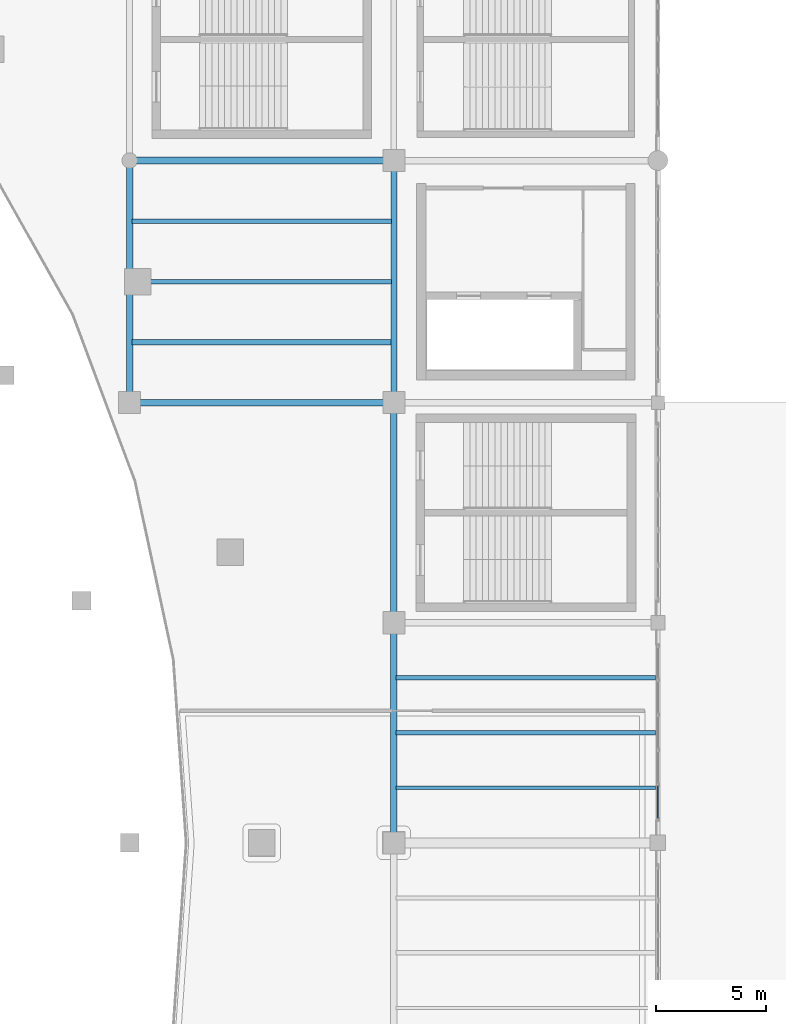
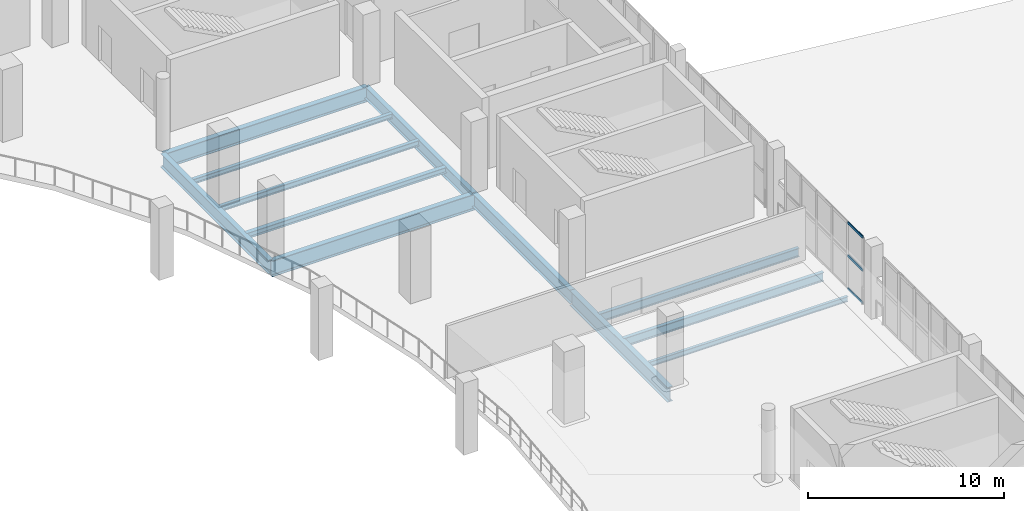
# One storey, part 56 of 108: 12 beams, 3 members, 1 element without a shape of its own.
"""IFC4 building model written with IfcOpenShell, lengths in metres."""

from ifc_helpers import new_model, si_unit, direction, frame, origin, origin_2d, place, context, subcontext, project, spatial, hollow_rectangle, i_section, extrude, material, layer, layer_set, material_profile, profile_set, type_object, element, aggregate, save


model = new_model("IFC4")

# Units and contexts
model_context = context("Model", 3, precision=1e-05, world=origin(), true_north=direction((0.0, 1.0)))
body_context = subcontext(model_context, "Body", "Model", "MODEL_VIEW")
ifc_project = project(units=[si_unit("LENGTHUNIT", "METRE"), si_unit("AREAUNIT", "SQUARE_METRE"), si_unit("VOLUMEUNIT", "CUBIC_METRE"), si_unit("PLANEANGLEUNIT", "RADIAN"), si_unit("MASSUNIT", "GRAM", prefix="KILO")], contexts=[model_context])

# Site, building, storey
site_placement = place(None, origin())
site = spatial("IfcSite", under=ifc_project, at=site_placement, CompositionType="ELEMENT")
building_placement = place(site_placement, origin())
building = spatial("IfcBuilding", under=site, at=building_placement, Name="Brinegate Civic Arena", CompositionType="ELEMENT")
storey_placement = place(building_placement, frame((0.0, 0.0, 10.199951171875)))
storey = spatial("IfcBuildingStorey", under=building, at=storey_placement, Name="L02", CompositionType="ELEMENT", Elevation=10.199951171875)

# Curtain wall, members
ifc_material_1 = material(Name="Marine grade aluminium", Category="aluminium")
ifc_layer = layer(ifc_material_1, 0.199951171875, Name="Marine grade aluminium")
ifc_layer_set = layer_set([ifc_layer], Name="Marine grade aluminium")
curtain_wall_type = type_object("IfcCurtainWallType", Name="CW-BOWL-GLAZED-01", PredefinedType="USERDEFINED", material=ifc_layer_set)
curtain_wall_placement = place(storey_placement, origin())
curtain_wall = element("IfcCurtainWall", 1, at=curtain_wall_placement, inside=storey, type_object=curtain_wall_type, Name="Curtain Wall CWA-084", ObjectType="GLAZED CURTAIN WALL", PredefinedType="USERDEFINED")
ifc_material_profile_1 = material_profile(ifc_material_1, hollow_rectangle(XDim=0.06494140625, YDim=0.1650390625, WallThickness=0.0048828125, InnerFilletRadius=0.00390625, OuterFilletRadius=0.008056640625, at=origin_2d()), Name="TRN65X165")
ifc_profile_set_1 = profile_set([ifc_material_profile_1], Name="Marine grade aluminium")
member_type = type_object("IfcMemberType", Name="CW-TRANSOM-65X165", PredefinedType="USERDEFINED", material=ifc_profile_set_1)
member_1_placement = place(storey_placement, frame((168.0, 63.110107421875, 0.032470703125), z_axis=(0.0, 1.0, 0.0), x_axis=(-1.0, 0.0, 0.0)))
member_1 = element("IfcMember", 2, at=member_1_placement, type_object=member_type, Name="CWA-084 transom 1.1", ObjectType="TRANSOM", PredefinedType="USERDEFINED", context=body_context, shape_type="SweptSolid", body=[
    extrude(hollow_rectangle(XDim=0.06494140625, YDim=0.1650390625, WallThickness=0.0048828125, InnerFilletRadius=0.00390625, OuterFilletRadius=0.008056640625, at=origin_2d()), origin(), (0.0, 0.0, 1.0), 1.491455078125),
])
member_2_placement = place(storey_placement, frame((168.0, 63.110107421875, 2.074951171875), z_axis=(0.0, 1.0, 0.0), x_axis=(-1.0, 0.0, 0.0)))
member_2 = element("IfcMember", 3, at=member_2_placement, type_object=member_type, Name="CWA-084 transom 1.2", ObjectType="TRANSOM", PredefinedType="USERDEFINED", context=body_context, shape_type="SweptSolid", body=[
    extrude(hollow_rectangle(XDim=0.06494140625, YDim=0.1650390625, WallThickness=0.0048828125, InnerFilletRadius=0.00390625, OuterFilletRadius=0.008056640625, at=origin_2d()), origin(), (0.0, 0.0, 1.0), 1.491455078125),
])
member_3_placement = place(storey_placement, frame((168.0, 63.110107421875, 4.117431640625), z_axis=(0.0, 1.0, 0.0), x_axis=(-1.0, 0.0, 0.0)))
member_3 = element("IfcMember", 4, at=member_3_placement, type_object=member_type, Name="CWA-084 transom 1.3", ObjectType="TRANSOM", PredefinedType="USERDEFINED", context=body_context, shape_type="SweptSolid", body=[
    extrude(hollow_rectangle(XDim=0.06494140625, YDim=0.1650390625, WallThickness=0.0048828125, InnerFilletRadius=0.00390625, OuterFilletRadius=0.008056640625, at=origin_2d()), origin(), (0.0, 0.0, 1.0), 1.491455078125),
])
aggregate(curtain_wall, [member_1, member_2, member_3])

# Beams
ifc_material_2 = material(Name="Steel S355", Category="steel")
ifc_material_profile_2 = material_profile(ifc_material_2, i_section(OverallWidth=0.300048828125, OverallDepth=1.0, WebThickness=0.01904296875, FlangeThickness=0.031982421875, FilletRadius=0.02392578125, at=origin_2d()), Name="W1000X321")
ifc_profile_set_2 = profile_set([ifc_material_profile_2], Name="Steel S355")
beam_type_1 = type_object("IfcBeamType", Name="GIRDER-W1000X321", PredefinedType="BEAM", material=ifc_profile_set_2)
beam_1_placement = place(storey_placement, frame((144.0, 82.0, -0.829833984375), z_axis=(1.0, 0.0, 0.0), x_axis=(0.0, 1.0, 0.0)))
element("IfcBeam", 5, at=beam_1_placement, inside=storey, type_object=beam_type_1, Name="Floor Girder BM-L02-GX-12-08", PredefinedType="BEAM", context=body_context, shape_type="SweptSolid", body=[
    extrude(i_section(OverallWidth=0.300048828125, OverallDepth=1.0, WebThickness=0.01904296875, FlangeThickness=0.031982421875, FilletRadius=0.02392578125, at=origin_2d()), origin(), (0.0, 0.0, 1.0), 12.0),
])
ifc_material_profile_3 = material_profile(ifc_material_2, i_section(OverallWidth=0.26806640625, OverallDepth=0.77001953125, WebThickness=0.01611328125, FlangeThickness=0.02490234375, FilletRadius=0.02001953125, at=origin_2d()), Name="W760X196")
ifc_profile_set_3 = profile_set([ifc_material_profile_3], Name="Steel S355")
beam_type_2 = type_object("IfcBeamType", Name="GIRDER-W760X196", PredefinedType="BEAM", material=ifc_profile_set_3)
beam_2_placement = place(storey_placement, frame((156.0, 82.0, -0.71484375), z_axis=(0.0, 1.0, 0.0), x_axis=(-1.0, 0.0, 0.0)))
element("IfcBeam", 6, at=beam_2_placement, inside=storey, type_object=beam_type_2, Name="Floor Girder BM-L02-GY-13-08", PredefinedType="BEAM", context=body_context, shape_type="SweptSolid", body=[
    extrude(i_section(OverallWidth=0.26806640625, OverallDepth=0.77001953125, WebThickness=0.01611328125, FlangeThickness=0.02490234375, FilletRadius=0.02001953125, at=origin_2d()), origin(), (0.0, 0.0, 1.0), 11.0),
])
ifc_material_profile_4 = material_profile(ifc_material_2, i_section(OverallWidth=0.2939453125, OverallDepth=0.85107421875, WebThickness=0.01611328125, FlangeThickness=0.027099609375, FilletRadius=0.02197265625, at=origin_2d()), Name="W840X226")
ifc_profile_set_4 = profile_set([ifc_material_profile_4], Name="Steel S355")
beam_type_3 = type_object("IfcBeamType", Name="GIRDER-W840X226", PredefinedType="BEAM", material=ifc_profile_set_4)
beam_3_placement = place(storey_placement, frame((144.0, 82.0, -0.7548828125), z_axis=(0.0, 1.0, 0.0), x_axis=(-1.0, 0.0, 0.0)))
element("IfcBeam", 7, at=beam_3_placement, inside=storey, type_object=beam_type_3, Name="Floor Girder BM-L02-GY-12-08", PredefinedType="BEAM", context=body_context, shape_type="SweptSolid", body=[
    extrude(i_section(OverallWidth=0.2939453125, OverallDepth=0.85107421875, WebThickness=0.01611328125, FlangeThickness=0.027099609375, FilletRadius=0.02197265625, at=origin_2d()), origin(), (0.0, 0.0, 1.0), 11.0),
])
beam_4_placement = place(storey_placement, frame((156.0, 72.0, -0.7548828125), z_axis=(0.0, 1.0, 0.0), x_axis=(-1.0, 0.0, 0.0)))
element("IfcBeam", 8, at=beam_4_placement, inside=storey, type_object=beam_type_3, Name="Floor Girder BM-L02-GY-13-07", PredefinedType="BEAM", context=body_context, shape_type="SweptSolid", body=[
    extrude(i_section(OverallWidth=0.2939453125, OverallDepth=0.85107421875, WebThickness=0.01611328125, FlangeThickness=0.027099609375, FilletRadius=0.02197265625, at=origin_2d()), origin(), (0.0, 0.0, 1.0), 10.0),
])
ifc_material_profile_5 = material_profile(ifc_material_2, i_section(OverallWidth=0.30810546875, OverallDepth=0.927001953125, WebThickness=0.01904296875, FlangeThickness=0.031982421875, FilletRadius=0.02392578125, at=origin_2d()), Name="W920X289")
ifc_profile_set_5 = profile_set([ifc_material_profile_5], Name="Steel S355")
beam_type_4 = type_object("IfcBeamType", Name="GIRDER-W920X289", PredefinedType="BEAM", material=ifc_profile_set_5)
beam_5_placement = place(storey_placement, frame((144.0, 93.0, -0.79296875), z_axis=(1.0, 0.0, 0.0), x_axis=(0.0, 1.0, 0.0)))
element("IfcBeam", 9, at=beam_5_placement, inside=storey, type_object=beam_type_4, Name="Floor Girder BM-L02-GX-12-09", PredefinedType="BEAM", context=body_context, shape_type="SweptSolid", body=[
    extrude(i_section(OverallWidth=0.30810546875, OverallDepth=0.927001953125, WebThickness=0.01904296875, FlangeThickness=0.031982421875, FilletRadius=0.02392578125, at=origin_2d()), origin(), (0.0, 0.0, 1.0), 12.0),
])
beam_6_placement = place(storey_placement, frame((156.0, 62.0, -0.79296875), z_axis=(0.0, 1.0, 0.0), x_axis=(-1.0, 0.0, 0.0)))
element("IfcBeam", 10, at=beam_6_placement, inside=storey, type_object=beam_type_4, Name="Floor Girder BM-L02-GY-13-06", PredefinedType="BEAM", context=body_context, shape_type="SweptSolid", body=[
    extrude(i_section(OverallWidth=0.30810546875, OverallDepth=0.927001953125, WebThickness=0.01904296875, FlangeThickness=0.031982421875, FilletRadius=0.02392578125, at=origin_2d()), origin(), (0.0, 0.0, 1.0), 10.0),
])
ifc_material_profile_6 = material_profile(ifc_material_2, i_section(OverallWidth=0.1669921875, OverallDepth=0.31689453125, WebThickness=0.008056640625, FlangeThickness=0.012939453125, FilletRadius=0.012939453125, at=origin_2d()), Name="W310X52")
ifc_profile_set_6 = profile_set([ifc_material_profile_6], Name="Steel S355")
beam_type_5 = type_object("IfcBeamType", Name="JOIST-W310X52", PredefinedType="JOIST", material=ifc_profile_set_6)
beam_7_placement = place(storey_placement, frame((156.10595703125, 64.5, -0.488037109375), z_axis=(1.0, 0.0, 0.0), x_axis=(0.0, 1.0, 0.0)))
element("IfcBeam", 11, at=beam_7_placement, inside=storey, type_object=beam_type_5, Name="Secondary Joist BM-L02-JX-13-06-1", PredefinedType="JOIST", context=body_context, shape_type="SweptSolid", body=[
    extrude(i_section(OverallWidth=0.1669921875, OverallDepth=0.31689453125, WebThickness=0.008056640625, FlangeThickness=0.012939453125, FilletRadius=0.012939453125, at=origin_2d()), origin(), (0.0, 0.0, 1.0), 11.7880859375),
])
ifc_material_profile_7 = material_profile(ifc_material_2, i_section(OverallWidth=0.205078125, OverallDepth=0.31005859375, WebThickness=0.009033203125, FlangeThickness=0.01611328125, FilletRadius=0.012939453125, at=origin_2d()), Name="W310X74")
ifc_profile_set_7 = profile_set([ifc_material_profile_7], Name="Steel S355")
beam_type_6 = type_object("IfcBeamType", Name="JOIST-W310X74", PredefinedType="JOIST", material=ifc_profile_set_7)
beam_8_placement = place(storey_placement, frame((144.10595703125, 90.25, -0.48486328125), z_axis=(1.0, 0.0, 0.0), x_axis=(0.0, 1.0, 0.0)))
element("IfcBeam", 12, at=beam_8_placement, inside=storey, type_object=beam_type_6, Name="Secondary Joist BM-L02-JX-12-08-3", PredefinedType="JOIST", context=body_context, shape_type="SweptSolid", body=[
    extrude(i_section(OverallWidth=0.205078125, OverallDepth=0.31005859375, WebThickness=0.009033203125, FlangeThickness=0.01611328125, FilletRadius=0.012939453125, at=origin_2d()), origin(), (0.0, 0.0, 1.0), 11.7880859375),
])
ifc_material_profile_8 = material_profile(ifc_material_2, i_section(OverallWidth=0.205078125, OverallDepth=0.35400390625, WebThickness=0.009033203125, FlangeThickness=0.01708984375, FilletRadius=0.013916015625, at=origin_2d()), Name="W360X79")
ifc_profile_set_8 = profile_set([ifc_material_profile_8], Name="Steel S355")
beam_type_7 = type_object("IfcBeamType", Name="JOIST-W360X79", PredefinedType="JOIST", material=ifc_profile_set_8)
beam_9_placement = place(storey_placement, frame((144.10595703125, 87.5, -0.5068359375), z_axis=(1.0, 0.0, 0.0), x_axis=(0.0, 1.0, 0.0)))
element("IfcBeam", 13, at=beam_9_placement, inside=storey, type_object=beam_type_7, Name="Secondary Joist BM-L02-JX-12-08-2", PredefinedType="JOIST", context=body_context, shape_type="SweptSolid", body=[
    extrude(i_section(OverallWidth=0.205078125, OverallDepth=0.35400390625, WebThickness=0.009033203125, FlangeThickness=0.01708984375, FilletRadius=0.013916015625, at=origin_2d()), origin(), (0.0, 0.0, 1.0), 11.7880859375),
])
ifc_material_profile_9 = material_profile(ifc_material_2, i_section(OverallWidth=0.25390625, OverallDepth=0.35302734375, WebThickness=0.010009765625, FlangeThickness=0.01611328125, FilletRadius=0.013916015625, at=origin_2d()), Name="W360X91")
ifc_profile_set_9 = profile_set([ifc_material_profile_9], Name="Steel S355")
beam_type_8 = type_object("IfcBeamType", Name="JOIST-W360X91", PredefinedType="JOIST", material=ifc_profile_set_9)
beam_10_placement = place(storey_placement, frame((144.10595703125, 84.75, -0.505859375), z_axis=(1.0, 0.0, 0.0), x_axis=(0.0, 1.0, 0.0)))
element("IfcBeam", 14, at=beam_10_placement, inside=storey, type_object=beam_type_8, Name="Secondary Joist BM-L02-JX-12-08-1", PredefinedType="JOIST", context=body_context, shape_type="SweptSolid", body=[
    extrude(i_section(OverallWidth=0.25390625, OverallDepth=0.35302734375, WebThickness=0.010009765625, FlangeThickness=0.01611328125, FilletRadius=0.013916015625, at=origin_2d()), origin(), (0.0, 0.0, 1.0), 11.7880859375),
])
ifc_material_profile_10 = material_profile(ifc_material_2, i_section(OverallWidth=0.2109375, OverallDepth=0.5390625, WebThickness=0.011962890625, FlangeThickness=0.01904296875, FilletRadius=0.01611328125, at=origin_2d()), Name="W530X109")
ifc_profile_set_10 = profile_set([ifc_material_profile_10], Name="Steel S355")
beam_type_9 = type_object("IfcBeamType", Name="JOIST-W530X109", PredefinedType="JOIST", material=ifc_profile_set_10)
beam_11_placement = place(storey_placement, frame((156.10595703125, 69.5, -0.598876953125), z_axis=(1.0, 0.0, 0.0), x_axis=(0.0, 1.0, 0.0)))
element("IfcBeam", 15, at=beam_11_placement, inside=storey, type_object=beam_type_9, Name="Secondary Joist BM-L02-JX-13-06-3", PredefinedType="JOIST", context=body_context, shape_type="SweptSolid", body=[
    extrude(i_section(OverallWidth=0.2109375, OverallDepth=0.5390625, WebThickness=0.011962890625, FlangeThickness=0.01904296875, FilletRadius=0.01611328125, at=origin_2d()), origin(), (0.0, 0.0, 1.0), 11.7880859375),
])
ifc_material_profile_11 = material_profile(ifc_material_2, i_section(OverallWidth=0.214111328125, OverallDepth=0.549072265625, WebThickness=0.014892578125, FlangeThickness=0.02392578125, FilletRadius=0.01611328125, at=origin_2d()), Name="W530X138")
ifc_profile_set_11 = profile_set([ifc_material_profile_11], Name="Steel S355")
beam_type_10 = type_object("IfcBeamType", Name="JOIST-W530X138", PredefinedType="JOIST", material=ifc_profile_set_11)
beam_12_placement = place(storey_placement, frame((156.10595703125, 67.0, -0.60400390625), z_axis=(1.0, 0.0, 0.0), x_axis=(0.0, 1.0, 0.0)))
element("IfcBeam", 16, at=beam_12_placement, inside=storey, type_object=beam_type_10, Name="Secondary Joist BM-L02-JX-13-06-2", PredefinedType="JOIST", context=body_context, shape_type="SweptSolid", body=[
    extrude(i_section(OverallWidth=0.214111328125, OverallDepth=0.549072265625, WebThickness=0.014892578125, FlangeThickness=0.02392578125, FilletRadius=0.01611328125, at=origin_2d()), origin(), (0.0, 0.0, 1.0), 11.7880859375),
])

save(model, "model.ifc")
